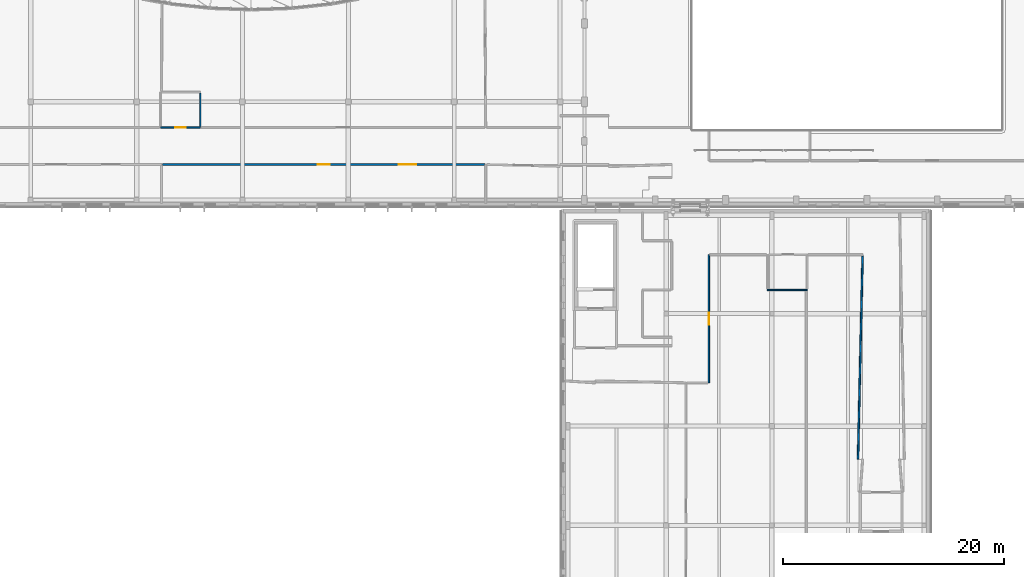
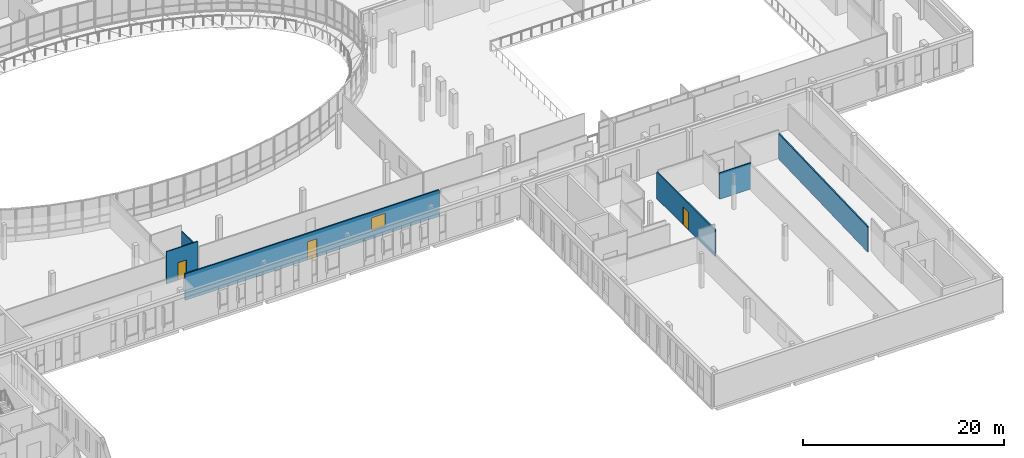
# One storey, part 46 of 84: 6 walls, 3 doors, 1 window, 4 openings.
"""IFC4 building model written with IfcOpenShell, lengths in metres."""

from ifc_helpers import new_model, si_unit, direction, frame, frame_2d, origin, place, context, subcontext, project, spatial, rectangle, extrude, material, layer, layer_set, type_object, element, fill, save


model = new_model("IFC4")

# Units and contexts
model_context = context("Model", 3, precision=1e-05, world=origin(), true_north=direction((0.0, 1.0)))
body_context = subcontext(model_context, "Body", "Model", "MODEL_VIEW")
ifc_project = project(units=[si_unit("LENGTHUNIT", "METRE"), si_unit("AREAUNIT", "SQUARE_METRE"), si_unit("VOLUMEUNIT", "CUBIC_METRE"), si_unit("PLANEANGLEUNIT", "RADIAN"), si_unit("MASSUNIT", "GRAM", prefix="KILO")], contexts=[model_context])

# Site, building, storey
site_placement = place(None, origin())
site = spatial("IfcSite", under=ifc_project, at=site_placement, CompositionType="ELEMENT")
building_placement = place(site_placement, origin())
building = spatial("IfcBuilding", under=site, at=building_placement, Name="Mzevani Central Library", CompositionType="ELEMENT")
storey_placement = place(building_placement, frame((0.0, 0.0, 5.39990234375)))
storey = spatial("IfcBuildingStorey", under=building, at=storey_placement, Name="L01", CompositionType="ELEMENT", Elevation=5.39990234375)

# Wall, opening, door
ifc_material_1 = material(Name="Fire-rated gypsum board", Category="gypsum")
ifc_layer_1 = layer(ifc_material_1, 0.1201171875, Name="Partition Acoustic 120")
ifc_layer_set_1 = layer_set([ifc_layer_1], Name="Fire-rated gypsum board")
wall_type_1 = type_object("IfcWallType", Name="Partition Acoustic 120", PredefinedType="PARTITIONING", material=ifc_layer_set_1)
wall_1_placement = place(storey_placement, frame((79.374755859375, 49.679931640625, 0.0), z_axis=(0.0, 0.0, 1.0), x_axis=(-1.0, 0.0, 0.0)))
wall_1 = element("IfcWall", 1, at=wall_1_placement, inside=storey, type_object=wall_type_1, Name="L01 V1 Partition IW-02 (189)", PredefinedType="PARTITIONING", context=body_context, shape_type="SweptSolid", body=[
    extrude(rectangle(XDim=3.599853515625, YDim=0.1201171875, at=frame_2d((1.7998046875, 0.0))), origin(), (0.0, 0.0, 1.0), 3.940185546875),
])
opening_1_placement = place(wall_1_placement, frame((1.324951171875, 0.0, 0.0)))
opening_1 = element("IfcOpeningElement", 2, at=opening_1_placement, cuts=wall_1, Name="Opening ID-02", PredefinedType="OPENING", context=body_context, shape_type="SweptSolid", body=[
    extrude(rectangle(XDim=0.949951171875, YDim=2.14990234375, at=frame_2d((0.47509765625, 1.074951171875))), frame((0.0, 0.070068359375, 0.0), z_axis=(0.0, -1.0, 0.0), x_axis=(1.0, 0.0, 0.0)), (0.0, 0.0, 1.0), 0.14013671875),
])
ifc_material_2 = material(Name="Fire-rated solid oak leaf")
door_type_1 = type_object("IfcDoorType", Name="Accessible WC Door 950x2150", OperationType="NOTDEFINED", PredefinedType="DOOR", material=ifc_material_2)
door_1_placement = place(opening_1_placement, origin())
door_1 = element("IfcDoor", 3, at=door_1_placement, inside=storey, type_object=door_type_1, Name="L01 Accessible WC and Public Toilet V1 Door", OperationType="SINGLE_SWING_RIGHT", OverallHeight=2.14990234375, OverallWidth=0.949951171875, PredefinedType="DOOR", context=body_context, shape_type="SweptSolid", body=[
    extrude(rectangle(XDim=0.949951171875, YDim=2.14990234375, at=frame_2d((0.47509765625, 1.074951171875))), frame((0.0, 0.02490234375, 0.0), z_axis=(0.0, -1.0, 0.0), x_axis=(1.0, 0.0, 0.0)), (0.0, 0.0, 1.0), 0.050048828125),
])
fill(opening_1, door_1)

# Walls
wall_2_placement = place(storey_placement, frame((79.374755859375, 52.780029296875, 0.0), z_axis=(0.0, 0.0, 1.0), x_axis=(0.0, -1.0, 0.0)))
element("IfcWall", 4, at=wall_2_placement, inside=storey, type_object=wall_type_1, Name="L01 V1 Partition IW-02 (192)", PredefinedType="PARTITIONING", context=body_context, shape_type="SweptSolid", body=[
    extrude(rectangle(XDim=3.0, YDim=0.1201171875, at=frame_2d((1.5, 0.0))), origin(), (0.0, 0.0, 1.0), 3.27001953125),
])
wall_3_placement = place(storey_placement, frame((134.389892578125, 34.93994140625, 0.0), z_axis=(0.0, 0.0, 1.0), x_axis=(-1.0, 0.0, 0.0)))
element("IfcWall", 5, at=wall_3_placement, inside=storey, type_object=wall_type_1, Name="L01 V6 Partition IW-02 (340)", PredefinedType="PARTITIONING", context=body_context, shape_type="SweptSolid", body=[
    extrude(rectangle(XDim=3.599853515625, YDim=0.1201171875, at=frame_2d((1.7998046875, 0.0))), origin(), (0.0, 0.0, 1.0), 3.18017578125),
])

# Wall, openings, window, door
ifc_layer_2 = layer(ifc_material_1, 0.14990234375, Name="Partition Study 150")
ifc_layer_set_2 = layer_set([ifc_layer_2], Name="Fire-rated gypsum board")
wall_type_2 = type_object("IfcWallType", Name="Partition Study 150", PredefinedType="PARTITIONING", material=ifc_layer_set_2)
wall_4_placement = place(storey_placement, frame((75.965087890625, 46.320068359375, 0.0), z_axis=(0.0, 0.0, 1.0), x_axis=(1.0, 0.0, 0.0)))
wall_4 = element("IfcWall", 6, at=wall_4_placement, inside=storey, type_object=wall_type_2, Name="L01 V1 Partition IW-03 (200)", PredefinedType="PARTITIONING", context=body_context, shape_type="SweptSolid", body=[
    extrude(rectangle(XDim=29.184814453125, YDim=0.14990234375, at=frame_2d((14.59228515625, 0.0))), origin(), (0.0, 0.0, 1.0), 3.22021484375),
])
opening_2_placement = place(wall_4_placement, frame((14.04248046875, 0.0, 0.0)))
opening_2 = element("IfcOpeningElement", 7, at=opening_2_placement, cuts=wall_4, Name="Opening ID-08", PredefinedType="OPENING", context=body_context, shape_type="SweptSolid", body=[
    extrude(rectangle(XDim=1.10009765625, YDim=2.199951171875, at=frame_2d((0.550048828125, 1.10009765625))), frame((0.0, 0.0849609375, 0.0), z_axis=(0.0, -1.0, 0.0), x_axis=(1.0, 0.0, 0.0)), (0.0, 0.0, 1.0), 0.169921875),
])
opening_3_placement = place(wall_4_placement, frame((21.380615234375, 0.0, 1.050048828125)))
opening_3 = element("IfcOpeningElement", 8, at=opening_3_placement, cuts=wall_4, Name="Opening IW-W01", PredefinedType="OPENING", context=body_context, shape_type="SweptSolid", body=[
    extrude(rectangle(XDim=1.60009765625, YDim=1.5, at=frame_2d((0.800048828125, 0.75))), frame((0.0, 0.0849609375, 0.0), z_axis=(0.0, -1.0, 0.0), x_axis=(1.0, 0.0, 0.0)), (0.0, 0.0, 1.0), 0.169921875),
])
ifc_material_3 = material(Name="Low-E triple glazing glass", Category="glass")
window_type = type_object("IfcWindowType", Name="Interior Borrowed Light 1600x1500", PartitioningType="SINGLE_PANEL", PredefinedType="WINDOW", material=ifc_material_3)
window_placement = place(opening_3_placement, origin())
window = element("IfcWindow", 9, at=window_placement, inside=storey, type_object=window_type, Name="L01 Collaborative Group Study Room A Acoustic Borrowed Light", OverallHeight=1.5, OverallWidth=1.60009765625, PartitioningType="SINGLE_PANEL", PredefinedType="WINDOW", context=body_context, shape_type="SweptSolid", body=[
    extrude(rectangle(XDim=1.60009765625, YDim=1.5, at=frame_2d((0.800048828125, 0.75))), frame((0.0, 0.030029296875, 0.0), z_axis=(0.0, -1.0, 0.0), x_axis=(1.0, 0.0, 0.0)), (0.0, 0.0, 1.0), 0.06005859375),
])
fill(opening_3, window)
door_type_2 = type_object("IfcDoorType", Name="Seminar Room Door 1100x2200", OperationType="NOTDEFINED", PredefinedType="DOOR", material=ifc_material_2)
door_2_placement = place(opening_2_placement, origin())
door_2 = element("IfcDoor", 10, at=door_2_placement, inside=storey, type_object=door_type_2, Name="L01 Collaborative Group Study Room A Door", OperationType="SINGLE_SWING_RIGHT", OverallHeight=2.199951171875, OverallWidth=1.10009765625, PredefinedType="DOOR", context=body_context, shape_type="SweptSolid", body=[
    extrude(rectangle(XDim=1.10009765625, YDim=2.199951171875, at=frame_2d((0.550048828125, 1.10009765625))), frame((0.0, 0.02490234375, 0.0), z_axis=(0.0, -1.0, 0.0), x_axis=(1.0, 0.0, 0.0)), (0.0, 0.0, 1.0), 0.050048828125),
])
fill(opening_2, door_2)

# Wall, opening, door
wall_5_placement = place(storey_placement, frame((125.47998046875, 26.52001953125, 0.0), z_axis=(0.0, 0.0, 1.0), x_axis=(0.0, 1.0, 0.0)))
wall_5 = element("IfcWall", 11, at=wall_5_placement, inside=storey, type_object=wall_type_2, Name="L01 V6 Partition IW-03 (354)", PredefinedType="PARTITIONING", context=body_context, shape_type="SweptSolid", body=[
    extrude(rectangle(XDim=11.619873046875, YDim=0.14990234375, at=frame_2d((5.81005859375, 0.0))), origin(), (0.0, 0.0, 1.0), 3.22998046875),
])
opening_4_placement = place(wall_5_placement, frame((5.284912109375, 0.0, 0.0)))
opening_4 = element("IfcOpeningElement", 12, at=opening_4_placement, cuts=wall_5, Name="Opening ID-07", PredefinedType="OPENING", context=body_context, shape_type="SweptSolid", body=[
    extrude(rectangle(XDim=1.050048828125, YDim=2.199951171875, at=frame_2d((0.52490234375, 1.10009765625))), frame((0.0, 0.0849609375, 0.0), z_axis=(0.0, -1.0, 0.0), x_axis=(1.0, 0.0, 0.0)), (0.0, 0.0, 1.0), 0.169921875),
])
door_type_3 = type_object("IfcDoorType", Name="Maker Studio Door 1050x2200", OperationType="NOTDEFINED", PredefinedType="DOOR", material=ifc_material_2)
door_3_placement = place(opening_4_placement, origin())
door_3 = element("IfcDoor", 13, at=door_3_placement, inside=storey, type_object=door_type_3, Name="L01 STEM Discovery Workshop Door", OperationType="SINGLE_SWING_LEFT", OverallHeight=2.199951171875, OverallWidth=1.050048828125, PredefinedType="DOOR", context=body_context, shape_type="SweptSolid", body=[
    extrude(rectangle(XDim=1.050048828125, YDim=2.199951171875, at=frame_2d((0.52490234375, 1.10009765625))), frame((0.0, 0.02490234375, 0.0), z_axis=(0.0, -1.0, 0.0), x_axis=(1.0, 0.0, 0.0)), (0.0, 0.0, 1.0), 0.050048828125),
])
fill(opening_4, door_3)

# Wall
wall_6_placement = place(storey_placement, frame((139.417724609375, 38.0400390625, 0.0), z_axis=(0.0, 0.0, 1.0), x_axis=(-0.022647440119, -0.999743513835, 0.0)))
element("IfcWall", 14, at=wall_6_placement, inside=storey, type_object=wall_type_2, Name="L01 V6 Partition IW-03 (359)", PredefinedType="PARTITIONING", context=body_context, shape_type="SweptSolid", body=[
    extrude(rectangle(XDim=18.444580078125, YDim=0.14990234375, at=frame_2d((9.22216796875, 0.0))), origin(), (0.0, 0.0, 1.0), 3.080078125),
])

save(model, "model.ifc")
